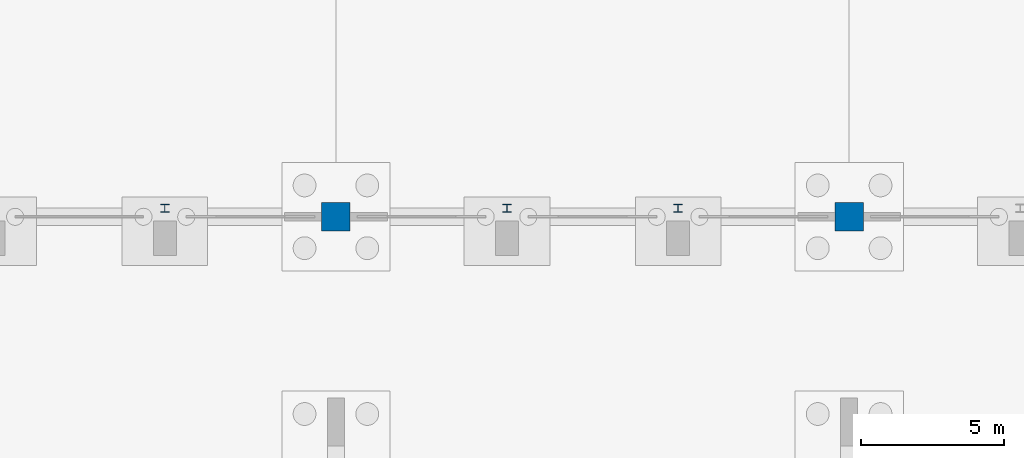
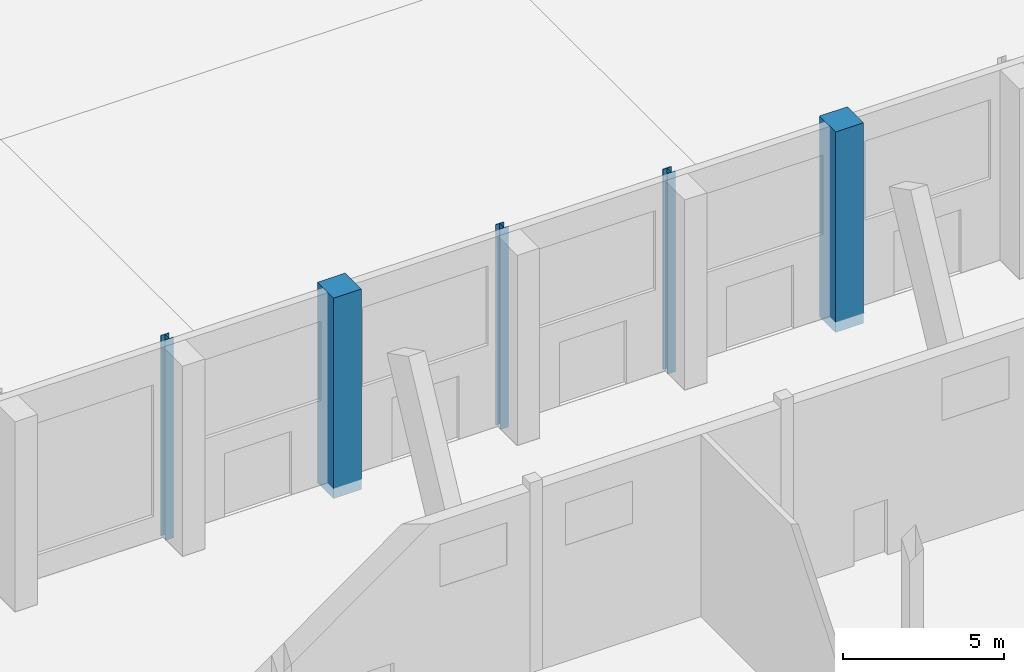
# One storey, part 29 of 239: 5 columns.
"""IFC4 building model written with IfcOpenShell, lengths in metres."""

import ifcopenshell
import ifcopenshell.guid

model = None  # the IFC model being written
_history = None  # IfcOwnerHistory: only IFC2X3 demands one
_inside = {}  # id of a spatial element -> (the spatial element, [elements in it])
_under = {}  # id of a project, library or spatial element -> (it, [spatial elements below it])
_declared = {}  # id of a project -> (the project, [libraries it declares])
_typed = {}  # id of a type object -> (the type object, [elements of that type])
_made_of = {}  # id of a material, layer set ... -> (it, [elements and type objects made of it])


def new_model(schema):
    """Start an empty IFC model of exactly this schema.

    Asked for "IFC4X3", IfcOpenShell would pick the latest addendum, in which some entities
    have other attributes; the version numbers below select the first issue.
    IFC2X3 requires an IfcOwnerHistory on every rooted entity: one is made here for all.
    """
    global model, _history
    if schema == "IFC4X3":
        model = ifcopenshell.file(schema_version=(4, 3, 0, 0))
    else:
        model = ifcopenshell.file(schema=schema)
    _inside.clear()
    _under.clear()
    _declared.clear()
    _typed.clear()
    _made_of.clear()
    _history = None
    if model.schema == "IFC2X3":
        org = make("IfcOrganization", Name="unknown")
        user = make(
            "IfcPersonAndOrganization",
            ThePerson=make("IfcPerson", FamilyName="unknown"),
            TheOrganization=org,
        )
        app = make(
            "IfcApplication",
            ApplicationDeveloper=org,
            Version="unknown",
            ApplicationFullName="unknown",
            ApplicationIdentifier="unknown",
        )
        _history = make(
            "IfcOwnerHistory",
            OwningUser=user,
            OwningApplication=app,
            ChangeAction="ADDED",
            CreationDate=0,
        )
    return model


def make(cls, **values):
    """One entity of the class cls with the attributes given. An attribute that is None is left unset."""
    return model.create_entity(
        cls, **{name: value for name, value in values.items() if value is not None}
    )


def rooted(cls, **values):
    """An entity with a GlobalId (a new one), such as an element, a storey or a relation."""
    return make(cls, GlobalId=ifcopenshell.guid.new(), OwnerHistory=_history, **values)


def si_unit(unit_type, name, prefix=None):
    """IfcSIUnit, for example si_unit("LENGTHUNIT", "METRE", prefix="MILLI")."""
    return make("IfcSIUnit", UnitType=unit_type, Prefix=prefix, Name=name)


def assignment(units):
    """IfcUnitAssignment: the units of a project."""
    return None if units is None else make("IfcUnitAssignment", Units=units)


def point(xyz):
    """IfcCartesianPoint."""
    return None if xyz is None else make("IfcCartesianPoint", Coordinates=xyz)


def direction(xyz):
    """IfcDirection."""
    return None if xyz is None else make("IfcDirection", DirectionRatios=xyz)


def frame(location, z_axis=None, x_axis=None):
    """IfcAxis2Placement3D, a coordinate frame: its origin and axes. An axis left out is left unset."""
    return make(
        "IfcAxis2Placement3D",
        Location=point(location),
        Axis=direction(z_axis),
        RefDirection=direction(x_axis),
    )


def frame_2d(location, x_axis=None):
    """IfcAxis2Placement2D, a coordinate frame in the plane: its origin and x axis."""
    return make(
        "IfcAxis2Placement2D", Location=point(location), RefDirection=direction(x_axis)
    )


def origin():
    """The frame at (0, 0, 0) with its axes left unset."""
    return frame((0.0, 0.0, 0.0))


def origin_2d():
    """The frame at (0, 0) in the plane with its x axis left unset."""
    return frame_2d((0.0, 0.0))


def place(relative_to, where):
    """IfcLocalPlacement: puts the frame where relative to a parent placement (None: the world)."""
    return make(
        "IfcLocalPlacement", PlacementRelTo=relative_to, RelativePlacement=where
    )


def context(
    kind, dimensions, precision=None, world=None, true_north=None, identifier=None
):
    """IfcGeometricRepresentationContext, for example the 3D "Model" context."""
    return make(
        "IfcGeometricRepresentationContext",
        ContextIdentifier=identifier,
        ContextType=kind,
        CoordinateSpaceDimension=dimensions,
        Precision=precision,
        WorldCoordinateSystem=world,
        TrueNorth=true_north,
    )


def subcontext(parent, identifier, kind, view, scale=None):
    """IfcGeometricRepresentationSubContext, for example "Body" below "Model"."""
    return make(
        "IfcGeometricRepresentationSubContext",
        ContextIdentifier=identifier,
        ContextType=kind,
        ParentContext=parent,
        TargetScale=scale,
        TargetView=view,
    )


def project(units=None, contexts=None):
    """IfcProject with its units and contexts."""
    return rooted(
        "IfcProject",
        Name="project",
        RepresentationContexts=contexts,
        UnitsInContext=assignment(units),
    )


def spatial(cls, under=None, at=None, **own):
    """A site, building, storey or space (cls), placed at a placement, below another one or the project."""
    s = rooted(cls, ObjectPlacement=at, **own)
    if under is not None:
        _under.setdefault(under.id(), (under, []))[1].append(s)
    return s


def profile(cls, at=None, kind="AREA", **sizes):
    """A parametric profile (cls). Its sizes go by their IFC names, for example OverallWidth=200.0."""
    return make(cls, ProfileType=kind, Position=at, **sizes)


def rectangle(**sizes):
    """IfcRectangleProfileDef."""
    return profile("IfcRectangleProfileDef", **sizes)


def i_section(**sizes):
    """IfcIShapeProfileDef."""
    return profile("IfcIShapeProfileDef", **sizes)


def extrude(swept, where, along, depth):
    """IfcExtrudedAreaSolid: the profile swept, set in the frame where, extruded along a direction by depth."""
    return make(
        "IfcExtrudedAreaSolid",
        SweptArea=swept,
        Position=where,
        ExtrudedDirection=direction(along),
        Depth=depth,
    )


def shape(context_of_items, identifier, shape_type, items):
    """IfcShapeRepresentation: the items that make up one representation, for example the "Body"."""
    return make(
        "IfcShapeRepresentation",
        ContextOfItems=context_of_items,
        RepresentationIdentifier=identifier,
        RepresentationType=shape_type,
        Items=items,
    )


def material(Name=None, Category=None):
    """IfcMaterial."""
    return make("IfcMaterial", Name=Name, Category=Category)


def material_profile(
    of_material, cross_section, Name=None, Category=None, Priority=None
):
    """IfcMaterialProfile: a cross section and its material."""
    return make(
        "IfcMaterialProfile",
        Name=Name,
        Material=of_material,
        Profile=cross_section,
        Priority=Priority,
        Category=Category,
    )


def profile_set(profiles, Name=None, composite=None):
    """IfcMaterialProfileSet."""
    return make(
        "IfcMaterialProfileSet",
        Name=Name,
        MaterialProfiles=profiles,
        CompositeProfile=composite,
    )


def made_of(thing, what):
    """Note that an element or type object is made of a material, layer set ...; save() writes the relation."""
    if what is not None:
        _made_of.setdefault(what.id(), (what, []))[1].append(thing)
    return thing


def type_object(cls, material=None, **own):
    """A type object (cls), such as IfcWallType, which elements share."""
    return made_of(rooted(cls, **own), material)


def element(
    cls,
    number,
    at=None,
    inside=None,
    cuts=None,
    type_object=None,
    material=None,
    context=None,
    identifier="Body",
    shape_type=None,
    held_by="IfcProductDefinitionShape",
    body=None,
    shapes=None,
    **own,
):
    """One element of the class cls, such as IfcWall. Its Tag is "e" and its number.

    at: its placement. inside: the storey or other place that contains it. cuts: it is an
    opening in that element (IfcRelVoidsElement). A single representation is given by context,
    identifier, shape_type and body (its items); several are given by shapes. held_by: the class
    of the entity that holds the representations. save() writes the other relations.
    """
    e = rooted(cls, Tag="e%d" % number, ObjectPlacement=at, **own)
    if body is not None:
        shapes = [shape(context, identifier, shape_type, body)]
    if shapes is not None:
        e.Representation = make(held_by, Representations=shapes)
    if inside is not None:
        _inside.setdefault(inside.id(), (inside, []))[1].append(e)
    if cuts is not None:
        rooted(
            "IfcRelVoidsElement", RelatingBuildingElement=cuts, RelatedOpeningElement=e
        )
    if type_object is not None:
        _typed.setdefault(type_object.id(), (type_object, []))[1].append(e)
    return made_of(e, material)


def aggregate(whole, parts):
    """IfcRelAggregates: a whole, such as a stair, and the parts it consists of."""
    return rooted("IfcRelAggregates", RelatingObject=whole, RelatedObjects=parts)


def save(model, path):
    """Write the relations noted so far, then the file.

    IfcRelAggregates (storeys below a building ...), IfcRelContainedInSpatialStructure (elements
    in a storey), IfcRelDefinesByType, IfcRelAssociatesMaterial and IfcRelDeclares: one each for
    every whole, place, type object, material and project.
    """
    for whole, parts in _under.values():
        aggregate(whole, parts)
    for where, things in _inside.values():
        rooted(
            "IfcRelContainedInSpatialStructure",
            RelatedElements=things,
            RelatingStructure=where,
        )
    for kind, things in _typed.values():
        rooted("IfcRelDefinesByType", RelatedObjects=things, RelatingType=kind)
    for what, things in _made_of.values():
        rooted("IfcRelAssociatesMaterial", RelatedObjects=things, RelatingMaterial=what)
    for by, libraries in _declared.values():
        rooted("IfcRelDeclares", RelatingContext=by, RelatedDefinitions=libraries)
    model.write(path)


model = new_model("IFC4")

# Units and contexts
model_context = context("Model", 3, precision=1e-05, world=origin(), true_north=direction((0.0, 1.0)))
body_context = subcontext(model_context, "Body", "Model", "MODEL_VIEW")
ifc_project = project(units=[si_unit("LENGTHUNIT", "METRE"), si_unit("AREAUNIT", "SQUARE_METRE"), si_unit("VOLUMEUNIT", "CUBIC_METRE"), si_unit("PLANEANGLEUNIT", "RADIAN"), si_unit("MASSUNIT", "GRAM", prefix="KILO")], contexts=[model_context])

# Site, building, storey
site_placement = place(None, origin())
site = spatial("IfcSite", under=ifc_project, at=site_placement, CompositionType="ELEMENT")
building_placement = place(site_placement, origin())
building = spatial("IfcBuilding", under=site, at=building_placement, Name="Okhra Congress Centre", CompositionType="ELEMENT")
storey_placement = place(building_placement, origin())
storey = spatial("IfcBuildingStorey", under=building, at=storey_placement, Name="L00", CompositionType="ELEMENT", Elevation=0.0)

# Columns
ifc_material_1 = material(Name="Steel S355J2", Category="steel")
ifc_material_profile_1 = material_profile(ifc_material_1, i_section(OverallWidth=0.300048828125, OverallDepth=0.2900390625, WebThickness=0.008544921875, FlangeThickness=0.013916015625, at=origin_2d()), Name="HE 300 A")
ifc_profile_set_1 = profile_set([ifc_material_profile_1], Name="Steel S355J2")
column_type_1 = type_object("IfcColumnType", Name="HE 300 A", PredefinedType="COLUMN", material=ifc_profile_set_1)
for number, where, z_axis, x_axis, name in (
    (1, (40.0, 132.300048828125, -0.39990234375), (0.0, 0.0, 1.0), (1.0, 0.0, 0.0), "EH.COL.L00.WP2"),
    (2, (52.0, 132.300048828125, -0.39990234375), (0.0, 0.0, 1.0), (1.0, 0.0, 0.0), "EH.COL.L00.WP3"),
    (3, (58.0, 132.300048828125, -0.39990234375), (0.0, 0.0, 1.0), (1.0, 0.0, 0.0), "EH.COL.L00.WP4"),
):
    element("IfcColumn", number, at=place(storey_placement, frame(where, z_axis=z_axis, x_axis=x_axis)), inside=storey, type_object=column_type_1, Name=name, PredefinedType="COLUMN", context=body_context, shape_type="SweptSolid", body=[
        extrude(i_section(OverallWidth=0.300048828125, OverallDepth=0.2900390625, WebThickness=0.008544921875, FlangeThickness=0.013916015625, at=origin_2d()), origin(), (0.0, 0.0, 1.0), 7.599853515625),
    ])
ifc_material_2 = material(Name="Concrete C40/50", Category="concrete")
ifc_material_profile_2 = material_profile(ifc_material_2, rectangle(XDim=1.0, YDim=1.0, at=origin_2d()), Name="RC 1000x1000")
ifc_profile_set_2 = profile_set([ifc_material_profile_2], Name="Concrete C40/50")
column_type_2 = type_object("IfcColumnType", Name="RC column 1000x1000 C40/50", PredefinedType="COLUMN", material=ifc_profile_set_2)
for number, where, z_axis, x_axis, name in (
    (4, (46.0, 132.0, -0.39990234375), (0.0, 0.0, 1.0), (1.0, 0.0, 0.0), "EH.COL.L00.SC3"),
    (5, (64.0, 132.0, -0.39990234375), (0.0, 0.0, 1.0), (1.0, 0.0, 0.0), "EH.COL.L00.SC5"),
):
    element("IfcColumn", number, at=place(storey_placement, frame(where, z_axis=z_axis, x_axis=x_axis)), inside=storey, type_object=column_type_2, Name=name, PredefinedType="COLUMN", context=body_context, shape_type="SweptSolid", body=[
        extrude(rectangle(XDim=1.0, YDim=1.0, at=origin_2d()), origin(), (0.0, 0.0, 1.0), 7.599853515625),
    ])

save(model, "model.ifc")
